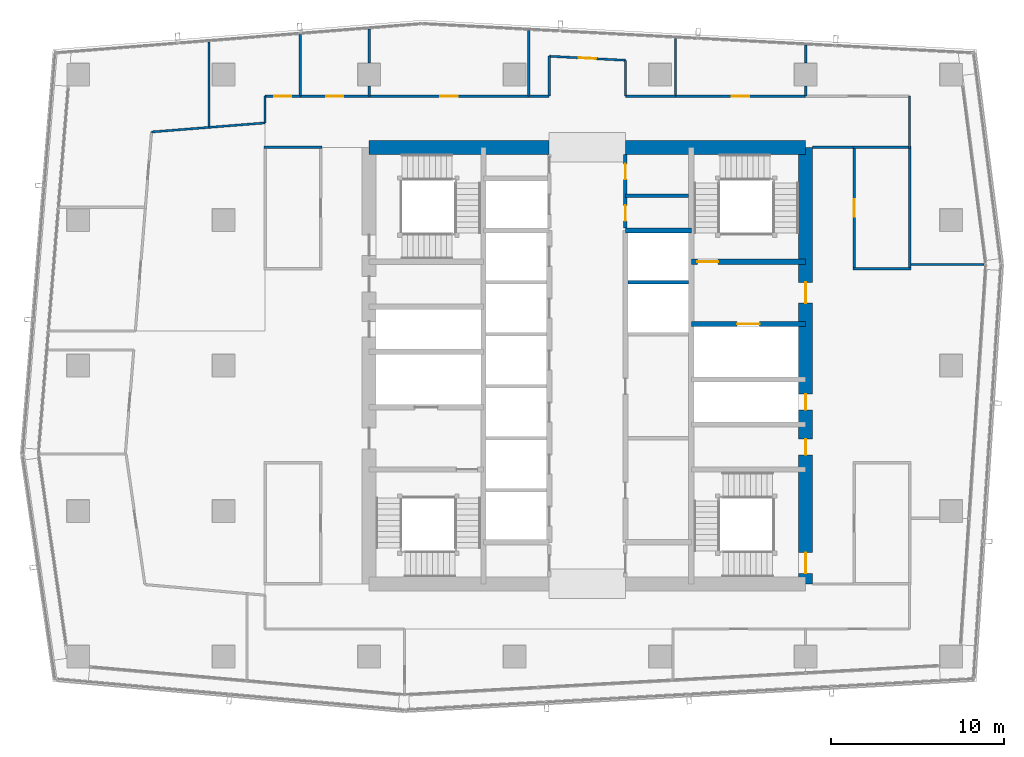
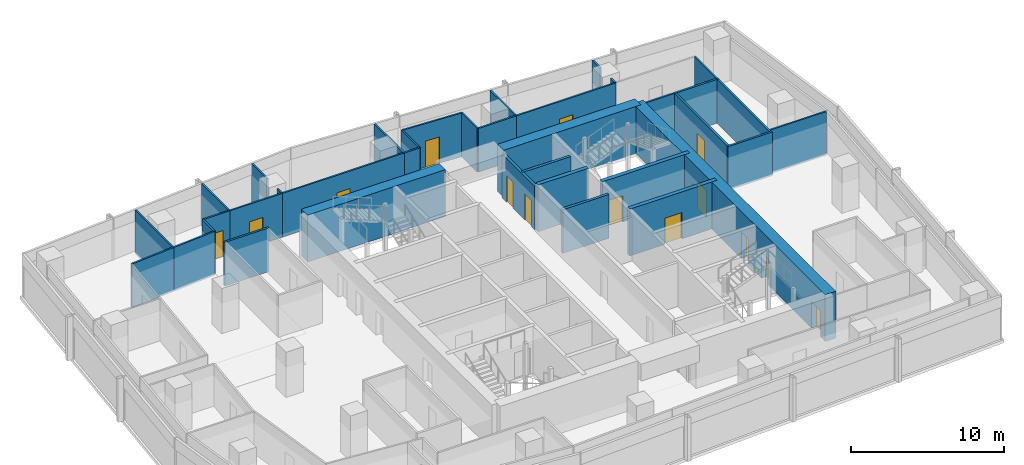
# One storey, part 24 of 29: 37 walls, 14 doors, 14 openings.
"""IFC4 building model written with IfcOpenShell, lengths in metres."""

import ifcopenshell
import ifcopenshell.guid

model = None  # the IFC model being written
_history = None  # IfcOwnerHistory: only IFC2X3 demands one
_inside = {}  # id of a spatial element -> (the spatial element, [elements in it])
_under = {}  # id of a project, library or spatial element -> (it, [spatial elements below it])
_declared = {}  # id of a project -> (the project, [libraries it declares])
_typed = {}  # id of a type object -> (the type object, [elements of that type])
_made_of = {}  # id of a material, layer set ... -> (it, [elements and type objects made of it])


def new_model(schema):
    """Start an empty IFC model of exactly this schema.

    Asked for "IFC4X3", IfcOpenShell would pick the latest addendum, in which some entities
    have other attributes; the version numbers below select the first issue.
    IFC2X3 requires an IfcOwnerHistory on every rooted entity: one is made here for all.
    """
    global model, _history
    if schema == "IFC4X3":
        model = ifcopenshell.file(schema_version=(4, 3, 0, 0))
    else:
        model = ifcopenshell.file(schema=schema)
    _inside.clear()
    _under.clear()
    _declared.clear()
    _typed.clear()
    _made_of.clear()
    _history = None
    if model.schema == "IFC2X3":
        org = make("IfcOrganization", Name="unknown")
        user = make(
            "IfcPersonAndOrganization",
            ThePerson=make("IfcPerson", FamilyName="unknown"),
            TheOrganization=org,
        )
        app = make(
            "IfcApplication",
            ApplicationDeveloper=org,
            Version="unknown",
            ApplicationFullName="unknown",
            ApplicationIdentifier="unknown",
        )
        _history = make(
            "IfcOwnerHistory",
            OwningUser=user,
            OwningApplication=app,
            ChangeAction="ADDED",
            CreationDate=0,
        )
    return model


def make(cls, **values):
    """One entity of the class cls with the attributes given. An attribute that is None is left unset."""
    return model.create_entity(
        cls, **{name: value for name, value in values.items() if value is not None}
    )


def rooted(cls, **values):
    """An entity with a GlobalId (a new one), such as an element, a storey or a relation."""
    return make(cls, GlobalId=ifcopenshell.guid.new(), OwnerHistory=_history, **values)


def si_unit(unit_type, name, prefix=None):
    """IfcSIUnit, for example si_unit("LENGTHUNIT", "METRE", prefix="MILLI")."""
    return make("IfcSIUnit", UnitType=unit_type, Prefix=prefix, Name=name)


def assignment(units):
    """IfcUnitAssignment: the units of a project."""
    return None if units is None else make("IfcUnitAssignment", Units=units)


def point(xyz):
    """IfcCartesianPoint."""
    return None if xyz is None else make("IfcCartesianPoint", Coordinates=xyz)


def direction(xyz):
    """IfcDirection."""
    return None if xyz is None else make("IfcDirection", DirectionRatios=xyz)


def frame(location, z_axis=None, x_axis=None):
    """IfcAxis2Placement3D, a coordinate frame: its origin and axes. An axis left out is left unset."""
    return make(
        "IfcAxis2Placement3D",
        Location=point(location),
        Axis=direction(z_axis),
        RefDirection=direction(x_axis),
    )


def frame_2d(location, x_axis=None):
    """IfcAxis2Placement2D, a coordinate frame in the plane: its origin and x axis."""
    return make(
        "IfcAxis2Placement2D", Location=point(location), RefDirection=direction(x_axis)
    )


def origin():
    """The frame at (0, 0, 0) with its axes left unset."""
    return frame((0.0, 0.0, 0.0))


def place(relative_to, where):
    """IfcLocalPlacement: puts the frame where relative to a parent placement (None: the world)."""
    return make(
        "IfcLocalPlacement", PlacementRelTo=relative_to, RelativePlacement=where
    )


def context(
    kind, dimensions, precision=None, world=None, true_north=None, identifier=None
):
    """IfcGeometricRepresentationContext, for example the 3D "Model" context."""
    return make(
        "IfcGeometricRepresentationContext",
        ContextIdentifier=identifier,
        ContextType=kind,
        CoordinateSpaceDimension=dimensions,
        Precision=precision,
        WorldCoordinateSystem=world,
        TrueNorth=true_north,
    )


def subcontext(parent, identifier, kind, view, scale=None):
    """IfcGeometricRepresentationSubContext, for example "Body" below "Model"."""
    return make(
        "IfcGeometricRepresentationSubContext",
        ContextIdentifier=identifier,
        ContextType=kind,
        ParentContext=parent,
        TargetScale=scale,
        TargetView=view,
    )


def project(units=None, contexts=None):
    """IfcProject with its units and contexts."""
    return rooted(
        "IfcProject",
        Name="project",
        RepresentationContexts=contexts,
        UnitsInContext=assignment(units),
    )


def spatial(cls, under=None, at=None, **own):
    """A site, building, storey or space (cls), placed at a placement, below another one or the project."""
    s = rooted(cls, ObjectPlacement=at, **own)
    if under is not None:
        _under.setdefault(under.id(), (under, []))[1].append(s)
    return s


def profile(cls, at=None, kind="AREA", **sizes):
    """A parametric profile (cls). Its sizes go by their IFC names, for example OverallWidth=200.0."""
    return make(cls, ProfileType=kind, Position=at, **sizes)


def rectangle(**sizes):
    """IfcRectangleProfileDef."""
    return profile("IfcRectangleProfileDef", **sizes)


def extrude(swept, where, along, depth):
    """IfcExtrudedAreaSolid: the profile swept, set in the frame where, extruded along a direction by depth."""
    return make(
        "IfcExtrudedAreaSolid",
        SweptArea=swept,
        Position=where,
        ExtrudedDirection=direction(along),
        Depth=depth,
    )


def shape(context_of_items, identifier, shape_type, items):
    """IfcShapeRepresentation: the items that make up one representation, for example the "Body"."""
    return make(
        "IfcShapeRepresentation",
        ContextOfItems=context_of_items,
        RepresentationIdentifier=identifier,
        RepresentationType=shape_type,
        Items=items,
    )


def material(Name=None, Category=None):
    """IfcMaterial."""
    return make("IfcMaterial", Name=Name, Category=Category)


def layer(
    of_material, thickness, ventilated=None, Name=None, Category=None, Priority=None
):
    """IfcMaterialLayer: one layer of a wall or slab, of a material (None: an air gap)."""
    return make(
        "IfcMaterialLayer",
        Material=of_material,
        LayerThickness=thickness,
        IsVentilated=ventilated,
        Name=Name,
        Category=Category,
        Priority=Priority,
    )


def layer_set(layers, Name=None):
    """IfcMaterialLayerSet."""
    return make("IfcMaterialLayerSet", MaterialLayers=layers, LayerSetName=Name)


def made_of(thing, what):
    """Note that an element or type object is made of a material, layer set ...; save() writes the relation."""
    if what is not None:
        _made_of.setdefault(what.id(), (what, []))[1].append(thing)
    return thing


def type_object(cls, material=None, **own):
    """A type object (cls), such as IfcWallType, which elements share."""
    return made_of(rooted(cls, **own), material)


def element(
    cls,
    number,
    at=None,
    inside=None,
    cuts=None,
    type_object=None,
    material=None,
    context=None,
    identifier="Body",
    shape_type=None,
    held_by="IfcProductDefinitionShape",
    body=None,
    shapes=None,
    **own,
):
    """One element of the class cls, such as IfcWall. Its Tag is "e" and its number.

    at: its placement. inside: the storey or other place that contains it. cuts: it is an
    opening in that element (IfcRelVoidsElement). A single representation is given by context,
    identifier, shape_type and body (its items); several are given by shapes. held_by: the class
    of the entity that holds the representations. save() writes the other relations.
    """
    e = rooted(cls, Tag="e%d" % number, ObjectPlacement=at, **own)
    if body is not None:
        shapes = [shape(context, identifier, shape_type, body)]
    if shapes is not None:
        e.Representation = make(held_by, Representations=shapes)
    if inside is not None:
        _inside.setdefault(inside.id(), (inside, []))[1].append(e)
    if cuts is not None:
        rooted(
            "IfcRelVoidsElement", RelatingBuildingElement=cuts, RelatedOpeningElement=e
        )
    if type_object is not None:
        _typed.setdefault(type_object.id(), (type_object, []))[1].append(e)
    return made_of(e, material)


def fill(opening, filler):
    """IfcRelFillsElement: the door or window that sits in an opening."""
    return rooted(
        "IfcRelFillsElement",
        RelatingOpeningElement=opening,
        RelatedBuildingElement=filler,
    )


def aggregate(whole, parts):
    """IfcRelAggregates: a whole, such as a stair, and the parts it consists of."""
    return rooted("IfcRelAggregates", RelatingObject=whole, RelatedObjects=parts)


def save(model, path):
    """Write the relations noted so far, then the file.

    IfcRelAggregates (storeys below a building ...), IfcRelContainedInSpatialStructure (elements
    in a storey), IfcRelDefinesByType, IfcRelAssociatesMaterial and IfcRelDeclares: one each for
    every whole, place, type object, material and project.
    """
    for whole, parts in _under.values():
        aggregate(whole, parts)
    for where, things in _inside.values():
        rooted(
            "IfcRelContainedInSpatialStructure",
            RelatedElements=things,
            RelatingStructure=where,
        )
    for kind, things in _typed.values():
        rooted("IfcRelDefinesByType", RelatedObjects=things, RelatingType=kind)
    for what, things in _made_of.values():
        rooted("IfcRelAssociatesMaterial", RelatedObjects=things, RelatingMaterial=what)
    for by, libraries in _declared.values():
        rooted("IfcRelDeclares", RelatingContext=by, RelatedDefinitions=libraries)
    model.write(path)


model = new_model("IFC4")

# Units and contexts
model_context = context("Model", 3, precision=1e-05, world=origin(), true_north=direction((0.0, 1.0)))
body_context = subcontext(model_context, "Body", "Model", "MODEL_VIEW")
ifc_project = project(units=[si_unit("LENGTHUNIT", "METRE"), si_unit("AREAUNIT", "SQUARE_METRE"), si_unit("VOLUMEUNIT", "CUBIC_METRE"), si_unit("PLANEANGLEUNIT", "RADIAN"), si_unit("MASSUNIT", "GRAM", prefix="KILO")], contexts=[model_context])

# Site, building, storey
site_placement = place(None, origin())
site = spatial("IfcSite", under=ifc_project, at=site_placement, CompositionType="ELEMENT")
building_placement = place(site_placement, origin())
building = spatial("IfcBuilding", under=site, at=building_placement, Name="Rekha Terrace Tower", CompositionType="ELEMENT")
storey_placement = place(building_placement, frame((0.0, 0.0, 257.60009765625)))
storey = spatial("IfcBuildingStorey", under=building, at=storey_placement, Name="L65", CompositionType="ELEMENT", Elevation=257.60009765625)

# Wall
ifc_material_1 = material(Name="Concrete M60", Category="concrete")
ifc_layer_1 = layer(ifc_material_1, 0.300048828125)
ifc_layer_set_1 = layer_set([ifc_layer_1], Name="Concrete M60")
wall_type_1 = type_object("IfcWallType", Name="CI5 300 core internal shear wall", PredefinedType="SHEAR", material=ifc_layer_set_1)
wall_1_placement = place(storey_placement, frame((40.0, 41.39990234375, 0.0), z_axis=(0.0, 0.0, 1.0), x_axis=(1.0, 0.0, 0.0)))
element("IfcWall", 1, at=wall_1_placement, inside=storey, type_object=wall_type_1, Name="Core wall Y414E L65", PredefinedType="SHEAR", context=body_context, shape_type="SweptSolid", body=[
    extrude(rectangle(XDim=3.800048828125, YDim=0.300048828125, at=frame_2d((1.89990234375, 0.0))), origin(), (0.0, 0.0, 1.0), 3.75),
])

# Wall, opening, door
wall_2_placement = place(storey_placement, frame((43.800048828125, 36.0, 0.0), z_axis=(0.0, 0.0, 1.0), x_axis=(1.0, 0.0, 0.0)))
wall_2 = element("IfcWall", 2, at=wall_2_placement, inside=storey, type_object=wall_type_1, Name="Core wall Y360E L65", PredefinedType="SHEAR", context=body_context, shape_type="SweptSolid", body=[
    extrude(rectangle(XDim=6.599853515625, YDim=0.300048828125, at=frame_2d((3.2998046875, 0.0))), origin(), (0.0, 0.0, 1.0), 3.75),
])
opening_1_placement = place(wall_2_placement, frame((2.64990234375, 0.0, 0.0)))
opening_1 = element("IfcOpeningElement", 3, at=opening_1_placement, cuts=wall_2, Name="Opening LD2", PredefinedType="OPENING", context=body_context, shape_type="SweptSolid", body=[
    extrude(rectangle(XDim=1.300048828125, YDim=2.10009765625, at=frame_2d((0.64990234375, 1.050048828125))), frame((0.0, 0.159912109375, 0.0), z_axis=(0.0, -1.0, 0.0), x_axis=(1.0, 0.0, 0.0)), (0.0, 0.0, 1.0), 0.320068359375),
])
ifc_material_2 = material(Name="Stainless steel sliding landing door", Category="steel")
door_type_1 = type_object("IfcDoorType", Name="LD2 1300x2100 fire lift landing door", OperationType="SLIDING_TO_LEFT", PredefinedType="USERDEFINED", material=ifc_material_2)
door_1_placement = place(opening_1_placement, origin())
door_1 = element("IfcDoor", 4, at=door_1_placement, inside=storey, type_object=door_type_1, Name="Lift FL2 landing door L65", ObjectType="LIFT LANDING DOOR", OperationType="SLIDING_TO_LEFT", OverallHeight=2.10009765625, OverallWidth=1.300048828125, PredefinedType="USERDEFINED", context=body_context, shape_type="SweptSolid", body=[
    extrude(rectangle(XDim=1.300048828125, YDim=2.10009765625, at=frame_2d((0.64990234375, 1.050048828125))), frame((0.0, 0.02490234375, 0.0), z_axis=(0.0, -1.0, 0.0), x_axis=(1.0, 0.0, 0.0)), (0.0, 0.0, 1.0), 0.050048828125),
])
fill(opening_1, door_1)

wall_3_placement = place(storey_placement, frame((43.800048828125, 39.60009765625, 0.0), z_axis=(0.0, 0.0, 1.0), x_axis=(1.0, 0.0, 0.0)))
wall_3 = element("IfcWall", 5, at=wall_3_placement, inside=storey, type_object=wall_type_1, Name="Core wall Y396E L65", PredefinedType="SHEAR", context=body_context, shape_type="SweptSolid", body=[
    extrude(rectangle(XDim=6.599853515625, YDim=0.300048828125, at=frame_2d((3.2998046875, 0.0))), origin(), (0.0, 0.0, 1.0), 3.75),
])
opening_2_placement = place(wall_3_placement, frame((0.35009765625, 0.0, 0.0)))
opening_2 = element("IfcOpeningElement", 6, at=opening_2_placement, cuts=wall_3, Name="Opening D1", PredefinedType="OPENING", context=body_context, shape_type="SweptSolid", body=[
    extrude(rectangle(XDim=1.199951171875, YDim=2.10009765625, at=frame_2d((0.60009765625, 1.050048828125))), frame((0.0, 0.159912109375, 0.0), z_axis=(0.0, -1.0, 0.0), x_axis=(1.0, 0.0, 0.0)), (0.0, 0.0, 1.0), 0.320068359375),
])
ifc_material_3 = material(Name="Steel fire door", Category="steel")
door_type_2 = type_object("IfcDoorType", Name="D1 1200x2100 stair fire door", OperationType="SINGLE_SWING_RIGHT", PredefinedType="DOOR", material=ifc_material_3)
door_2_placement = place(opening_2_placement, origin())
door_2 = element("IfcDoor", 7, at=door_2_placement, inside=storey, type_object=door_type_2, Name="Stair ST2 door L65", OperationType="SINGLE_SWING_RIGHT", OverallHeight=2.10009765625, OverallWidth=1.199951171875, PredefinedType="DOOR", context=body_context, shape_type="SweptSolid", body=[
    extrude(rectangle(XDim=1.199951171875, YDim=2.10009765625, at=frame_2d((0.60009765625, 1.050048828125))), frame((0.0, 0.02490234375, 0.0), z_axis=(0.0, -1.0, 0.0), x_axis=(1.0, 0.0, 0.0)), (0.0, 0.0, 1.0), 0.050048828125),
])
fill(opening_2, door_2)

# Walls
ifc_layer_2 = layer(ifc_material_1, 0.800048828125)
ifc_layer_set_2 = layer_set([ifc_layer_2], Name="Concrete M60")
wall_type_2 = type_object("IfcWallType", Name="SW5 800 core outer shear wall", PredefinedType="SHEAR", material=ifc_layer_set_2)
wall_4_placement = place(storey_placement, frame((25.199951171875, 46.199951171875, 0.0), z_axis=(0.0, 0.0, 1.0), x_axis=(1.0, 0.0, 0.0)))
element("IfcWall", 8, at=wall_4_placement, inside=storey, type_object=wall_type_2, Name="Core wall N1 L65", PredefinedType="SHEAR", context=body_context, shape_type="SweptSolid", body=[
    extrude(rectangle(XDim=10.400146484375, YDim=0.800048828125, at=frame_2d((5.2001953125, 0.0))), origin(), (0.0, 0.0, 1.0), 3.75),
])
wall_5_placement = place(storey_placement, frame((40.0, 46.199951171875, 0.0), z_axis=(0.0, 0.0, 1.0), x_axis=(1.0, 0.0, 0.0)))
element("IfcWall", 9, at=wall_5_placement, inside=storey, type_object=wall_type_2, Name="Core wall N2 L65", PredefinedType="SHEAR", context=body_context, shape_type="SweptSolid", body=[
    extrude(rectangle(XDim=10.39990234375, YDim=0.800048828125, at=frame_2d((5.199951171875, 0.0))), origin(), (0.0, 0.0, 1.0), 3.75),
])

# Wall, openings, doors
wall_6_placement = place(storey_placement, frame((50.39990234375, 21.0, 0.0), z_axis=(0.0, 0.0, 1.0), x_axis=(0.0, 1.0, 0.0)))
wall_6 = element("IfcWall", 10, at=wall_6_placement, inside=storey, type_object=wall_type_2, Name="Core wall E L65", PredefinedType="SHEAR", context=body_context, shape_type="SweptSolid", body=[
    extrude(rectangle(XDim=25.199951171875, YDim=0.800048828125, at=frame_2d((12.60009765625, 0.0))), origin(), (0.0, 0.0, 1.0), 3.75),
])
opening_3_placement = place(wall_6_placement, frame((16.199951171875, 0.0, 0.0)))
opening_3 = element("IfcOpeningElement", 11, at=opening_3_placement, cuts=wall_6, Name="Opening D2", PredefinedType="OPENING", context=body_context, shape_type="SweptSolid", body=[
    extrude(rectangle(XDim=1.199951171875, YDim=2.10009765625, at=frame_2d((0.60009765625, 1.050048828125))), frame((0.0, 0.409912109375, 0.0), z_axis=(0.0, -1.0, 0.0), x_axis=(1.0, 0.0, 0.0)), (0.0, 0.0, 1.0), 0.820068359375),
])
opening_4_placement = place(wall_6_placement, frame((10.050048828125, 0.0, 0.0)))
opening_4 = element("IfcOpeningElement", 12, at=opening_4_placement, cuts=wall_6, Name="Opening D5", PredefinedType="OPENING", context=body_context, shape_type="SweptSolid", body=[
    extrude(rectangle(XDim=0.89990234375, YDim=2.10009765625, at=frame_2d((0.449951171875, 1.050048828125))), frame((0.0, 0.409912109375, 0.0), z_axis=(0.0, -1.0, 0.0), x_axis=(1.0, 0.0, 0.0)), (0.0, 0.0, 1.0), 0.820068359375),
])
opening_5_placement = place(wall_6_placement, frame((7.449951171875, 0.0, 0.0)))
opening_5 = element("IfcOpeningElement", 13, at=opening_5_placement, cuts=wall_6, Name="Opening D5", PredefinedType="OPENING", context=body_context, shape_type="SweptSolid", body=[
    extrude(rectangle(XDim=0.89990234375, YDim=2.10009765625, at=frame_2d((0.449951171875, 1.050048828125))), frame((0.0, 0.409912109375, 0.0), z_axis=(0.0, -1.0, 0.0), x_axis=(1.0, 0.0, 0.0)), (0.0, 0.0, 1.0), 0.820068359375),
])
opening_6_placement = place(wall_6_placement, frame((0.60009765625, 0.0, 0.0)))
opening_6 = element("IfcOpeningElement", 14, at=opening_6_placement, cuts=wall_6, Name="Opening D1", PredefinedType="OPENING", context=body_context, shape_type="SweptSolid", body=[
    extrude(rectangle(XDim=1.199951171875, YDim=2.10009765625, at=frame_2d((0.60009765625, 1.050048828125))), frame((0.0, 0.409912109375, 0.0), z_axis=(0.0, -1.0, 0.0), x_axis=(1.0, 0.0, 0.0)), (0.0, 0.0, 1.0), 0.820068359375),
])
door_3_placement = place(opening_6_placement, origin())
door_3 = element("IfcDoor", 15, at=door_3_placement, inside=storey, type_object=door_type_2, Name="Stair ST3 door L65", OperationType="SINGLE_SWING_RIGHT", OverallHeight=2.10009765625, OverallWidth=1.199951171875, PredefinedType="DOOR", context=body_context, shape_type="SweptSolid", body=[
    extrude(rectangle(XDim=1.199951171875, YDim=2.10009765625, at=frame_2d((0.60009765625, 1.050048828125))), frame((0.0, 0.02490234375, 0.0), z_axis=(0.0, -1.0, 0.0), x_axis=(1.0, 0.0, 0.0)), (0.0, 0.0, 1.0), 0.050048828125),
])
fill(opening_6, door_3)
door_type_3 = type_object("IfcDoorType", Name="D2 1200x2100 firefighting lobby door", OperationType="SINGLE_SWING_LEFT", PredefinedType="DOOR", material=ifc_material_3)
door_4_placement = place(opening_3_placement, origin())
door_4 = element("IfcDoor", 16, at=door_4_placement, inside=storey, type_object=door_type_3, Name="Door flb2 L65", OperationType="SINGLE_SWING_LEFT", OverallHeight=2.10009765625, OverallWidth=1.199951171875, PredefinedType="DOOR", context=body_context, shape_type="SweptSolid", body=[
    extrude(rectangle(XDim=1.199951171875, YDim=2.10009765625, at=frame_2d((0.60009765625, 1.050048828125))), frame((0.0, 0.02490234375, 0.0), z_axis=(0.0, -1.0, 0.0), x_axis=(1.0, 0.0, 0.0)), (0.0, 0.0, 1.0), 0.050048828125),
])
fill(opening_3, door_4)
door_type_4 = type_object("IfcDoorType", Name="D5 900x2100 riser access door", OperationType="SINGLE_SWING_LEFT", PredefinedType="DOOR", material=ifc_material_3)
door_5_placement = place(opening_4_placement, origin())
door_5 = element("IfcDoor", 17, at=door_5_placement, inside=storey, type_object=door_type_4, Name="Door rs2 L65", OperationType="SINGLE_SWING_LEFT", OverallHeight=2.10009765625, OverallWidth=0.89990234375, PredefinedType="DOOR", context=body_context, shape_type="SweptSolid", body=[
    extrude(rectangle(XDim=0.89990234375, YDim=2.10009765625, at=frame_2d((0.449951171875, 1.050048828125))), frame((0.0, 0.02490234375, 0.0), z_axis=(0.0, -1.0, 0.0), x_axis=(1.0, 0.0, 0.0)), (0.0, 0.0, 1.0), 0.050048828125),
])
fill(opening_4, door_5)
door_6_placement = place(opening_5_placement, origin())
door_6 = element("IfcDoor", 18, at=door_6_placement, inside=storey, type_object=door_type_4, Name="Door ele L65", OperationType="SINGLE_SWING_LEFT", OverallHeight=2.10009765625, OverallWidth=0.89990234375, PredefinedType="DOOR", context=body_context, shape_type="SweptSolid", body=[
    extrude(rectangle(XDim=0.89990234375, YDim=2.10009765625, at=frame_2d((0.449951171875, 1.050048828125))), frame((0.0, 0.02490234375, 0.0), z_axis=(0.0, -1.0, 0.0), x_axis=(1.0, 0.0, 0.0)), (0.0, 0.0, 1.0), 0.050048828125),
])
fill(opening_5, door_6)

# Walls
ifc_material_4 = material(Name="Concrete block masonry, 1 hour", Category="masonry")
ifc_layer_3 = layer(ifc_material_4, 0.14990234375)
ifc_layer_set_3 = layer_set([ifc_layer_3], Name="Concrete block masonry, 1 hour")
wall_type_3 = type_object("IfcWallType", Name="WP2 150 tenancy partition", PredefinedType="PARTITIONING", material=ifc_layer_set_3)
for number, where, z_axis, x_axis, name in (
    (19, (53.125, 39.199951171875, 0.0), (0.0, 0.0, 1.0), (1.0, 0.0, 0.0), "Women's WC wall L65"),
    (20, (53.125, 46.199951171875, 0.0), (0.0, 0.0, 1.0), (1.0, 0.0, 0.0), "Women's WC wall L65"),
):
    element("IfcWall", number, at=place(storey_placement, frame(where, z_axis=z_axis, x_axis=x_axis)), inside=storey, type_object=wall_type_3, Name=name, PredefinedType="PARTITIONING", context=body_context, shape_type="SweptSolid", body=[
        extrude(rectangle(XDim=3.35009765625, YDim=0.14990234375, at=frame_2d((1.675048828125, 0.0))), origin(), (0.0, 0.0, 1.0), 3.5),
    ])

# Wall, opening, door
wall_7_placement = place(storey_placement, frame((53.199951171875, 39.27490234375, 0.0), z_axis=(0.0, 0.0, 1.0), x_axis=(0.0, 1.0, 0.0)))
wall_7 = element("IfcWall", 21, at=wall_7_placement, inside=storey, type_object=wall_type_3, Name="Women's WC wall L65", PredefinedType="PARTITIONING", context=body_context, shape_type="SweptSolid", body=[
    extrude(rectangle(XDim=6.85009765625, YDim=0.14990234375, at=frame_2d((3.425048828125, 0.0))), origin(), (0.0, 0.0, 1.0), 3.5),
])
opening_7_placement = place(wall_7_placement, frame((2.925048828125, 0.0, 0.0)))
opening_7 = element("IfcOpeningElement", 22, at=opening_7_placement, cuts=wall_7, Name="Opening D3", PredefinedType="OPENING", context=body_context, shape_type="SweptSolid", body=[
    extrude(rectangle(XDim=1.0, YDim=2.10009765625, at=frame_2d((0.5, 1.050048828125))), frame((0.0, 0.0849609375, 0.0), z_axis=(0.0, -1.0, 0.0), x_axis=(1.0, 0.0, 0.0)), (0.0, 0.0, 1.0), 0.169921875),
])
ifc_material_5 = material(Name="Laminated timber fire door", Category="wood")
door_type_5 = type_object("IfcDoorType", Name="D3 1000x2100 WC door", OperationType="SINGLE_SWING_LEFT", PredefinedType="DOOR", material=ifc_material_5)
door_7_placement = place(opening_7_placement, origin())
door_7 = element("IfcDoor", 23, at=door_7_placement, inside=storey, type_object=door_type_5, Name="Door women's wc L65", OperationType="SINGLE_SWING_LEFT", OverallHeight=2.10009765625, OverallWidth=1.0, PredefinedType="DOOR", context=body_context, shape_type="SweptSolid", body=[
    extrude(rectangle(XDim=1.0, YDim=2.10009765625, at=frame_2d((0.5, 1.050048828125))), frame((0.0, 0.02490234375, 0.0), z_axis=(0.0, -1.0, 0.0), x_axis=(1.0, 0.0, 0.0)), (0.0, 0.0, 1.0), 0.050048828125),
])
fill(opening_7, door_7)

# Walls
wall_8_placement = place(storey_placement, frame((56.39990234375, 39.27490234375, 0.0), z_axis=(0.0, 0.0, 1.0), x_axis=(0.0, 1.0, 0.0)))
element("IfcWall", 24, at=wall_8_placement, inside=storey, type_object=wall_type_3, Name="Women's WC wall L65", PredefinedType="PARTITIONING", context=body_context, shape_type="SweptSolid", body=[
    extrude(rectangle(XDim=6.85009765625, YDim=0.14990234375, at=frame_2d((3.425048828125, 0.0))), origin(), (0.0, 0.0, 1.0), 3.5),
])
wall_9_placement = place(storey_placement, frame((19.125, 46.199951171875, 0.0), z_axis=(0.0, 0.0, 1.0), x_axis=(1.0, 0.0, 0.0)))
element("IfcWall", 25, at=wall_9_placement, inside=storey, type_object=wall_type_3, Name="Women's WC wall L65", PredefinedType="PARTITIONING", context=body_context, shape_type="SweptSolid", body=[
    extrude(rectangle(XDim=3.35009765625, YDim=0.14990234375, at=frame_2d((1.675048828125, 0.0))), origin(), (0.0, 0.0, 1.0), 3.5),
])
ifc_material_6 = material(Name="Two layers of fire-rated gypsum board each side on steel studs, acoustic quilt, 1 hour", Category="steel")
ifc_layer_4 = layer(ifc_material_6, 0.125)
ifc_layer_set_4 = layer_set([ifc_layer_4], Name="Two layers of fire-rated gypsum board each side on steel studs, acoustic quilt, 1 hour")
wall_type_4 = type_object("IfcWallType", Name="WP3 125 office partition", PredefinedType="PARTITIONING", material=ifc_layer_set_4)
wall_10_placement = place(storey_placement, frame((50.800048828125, 46.199951171875, 0.0), z_axis=(0.0, 0.0, 1.0), x_axis=(1.0, 0.0, 0.0)))
element("IfcWall", 26, at=wall_10_placement, inside=storey, type_object=wall_type_4, Name="Partition L65-05", PredefinedType="PARTITIONING", context=body_context, shape_type="SweptSolid", body=[
    extrude(rectangle(XDim=2.323974609375, YDim=0.125, at=frame_2d((1.162109375, 0.0))), origin(), (0.0, 0.0, 1.0), 3.5),
])
wall_11_placement = place(storey_placement, frame((56.47509765625, 39.43896484375, 0.0), z_axis=(0.0, 0.0, 1.0), x_axis=(1.0, 0.0, 0.0)))
element("IfcWall", 27, at=wall_11_placement, inside=storey, type_object=wall_type_4, Name="Partition L65-05", PredefinedType="PARTITIONING", context=body_context, shape_type="SweptSolid", body=[
    extrude(rectangle(XDim=4.224853515625, YDim=0.125, at=frame_2d((2.1123046875, 0.0))), origin(), (0.0, 0.0, 1.0), 3.5),
])
wall_12_placement = place(storey_placement, frame((50.403076171875, 49.14990234375, 0.0), z_axis=(0.0, 0.0, 1.0), x_axis=(0.0, 1.0, 0.0)))
element("IfcWall", 28, at=wall_12_placement, inside=storey, type_object=wall_type_4, Name="Partition L65-06", PredefinedType="PARTITIONING", context=body_context, shape_type="SweptSolid", body=[
    extrude(rectangle(XDim=0.580078125, YDim=0.125, at=frame_2d((0.2900390625, 0.0))), origin(), (0.0, 0.0, 1.0), 3.5),
])
wall_13_placement = place(storey_placement, frame((50.403076171875, 51.070068359375, 0.0), z_axis=(0.0, 0.0, 1.0), x_axis=(0.0, 1.0, 0.0)))
element("IfcWall", 29, at=wall_13_placement, inside=storey, type_object=wall_type_4, Name="Partition L65-06", PredefinedType="PARTITIONING", context=body_context, shape_type="SweptSolid", body=[
    extrude(rectangle(XDim=1.02392578125, YDim=0.125, at=frame_2d((0.511962890625, 0.0))), origin(), (0.0, 0.0, 1.0), 3.5),
])
wall_14_placement = place(storey_placement, frame((56.39990234375, 46.125, 0.0), z_axis=(0.0, 0.0, 1.0), x_axis=(0.0, 1.0, 0.0)))
element("IfcWall", 30, at=wall_14_placement, inside=storey, type_object=wall_type_4, Name="Partition L65-06", PredefinedType="PARTITIONING", context=body_context, shape_type="SweptSolid", body=[
    extrude(rectangle(XDim=3.02490234375, YDim=0.125, at=frame_2d((1.512451171875, 0.0))), origin(), (0.0, 0.0, 1.0), 3.5),
])

# Wall, opening, door
wall_15_placement = place(storey_placement, frame((50.402099609375, 49.14990234375, 0.0), z_axis=(0.0, 0.0, 1.0), x_axis=(-1.0, 0.0, 0.0)))
wall_15 = element("IfcWall", 31, at=wall_15_placement, inside=storey, type_object=wall_type_4, Name="Partition L65-07", PredefinedType="PARTITIONING", context=body_context, shape_type="SweptSolid", body=[
    extrude(rectangle(XDim=7.51220703125, YDim=0.125, at=frame_2d((3.756103515625, 0.0))), origin(), (0.0, 0.0, 1.0), 3.5),
])
opening_8_placement = place(wall_15_placement, frame((3.256103515625, 0.0, 0.0)))
opening_8 = element("IfcOpeningElement", 32, at=opening_8_placement, cuts=wall_15, Name="Opening D9", PredefinedType="OPENING", context=body_context, shape_type="SweptSolid", body=[
    extrude(rectangle(XDim=1.0, YDim=2.10009765625, at=frame_2d((0.5, 1.050048828125))), frame((0.0, 0.072509765625, 0.0), z_axis=(0.0, -1.0, 0.0), x_axis=(1.0, 0.0, 0.0)), (0.0, 0.0, 1.0), 0.14501953125),
])
ifc_material_7 = material(Name="Timber fire door", Category="wood")
door_type_6 = type_object("IfcDoorType", Name="D9 1000x2100 office door", OperationType="SINGLE_SWING_LEFT", PredefinedType="DOOR", material=ifc_material_7)
door_8_placement = place(opening_8_placement, origin())
door_8 = element("IfcDoor", 33, at=door_8_placement, inside=storey, type_object=door_type_6, Name="Door office L65", OperationType="SINGLE_SWING_LEFT", OverallHeight=2.10009765625, OverallWidth=1.0, PredefinedType="DOOR", context=body_context, shape_type="SweptSolid", body=[
    extrude(rectangle(XDim=1.0, YDim=2.10009765625, at=frame_2d((0.5, 1.050048828125))), frame((0.0, 0.02490234375, 0.0), z_axis=(0.0, -1.0, 0.0), x_axis=(1.0, 0.0, 0.0)), (0.0, 0.0, 1.0), 0.050048828125),
])
fill(opening_8, door_8)

# Wall
wall_16_placement = place(storey_placement, frame((42.889892578125, 49.14990234375, 0.0), z_axis=(0.0, 0.0, 1.0), x_axis=(0.0, 1.0, 0.0)))
element("IfcWall", 34, at=wall_16_placement, inside=storey, type_object=wall_type_4, Name="Partition L65-07", PredefinedType="PARTITIONING", context=body_context, shape_type="SweptSolid", body=[
    extrude(rectangle(XDim=3.343017578125, YDim=0.125, at=frame_2d((1.67138671875, 0.0))), origin(), (0.0, 0.0, 1.0), 3.5),
])

# Wall, opening, door
wall_17_placement = place(storey_placement, frame((40.0, 51.22509765625, 0.0), z_axis=(0.0, 0.0, 1.0), x_axis=(-0.998601864588, 0.052861290579, 0.0)))
wall_17 = element("IfcWall", 35, at=wall_17_placement, inside=storey, type_object=wall_type_4, Name="Partition L65-08", PredefinedType="PARTITIONING", context=body_context, shape_type="SweptSolid", body=[
    extrude(rectangle(XDim=4.406005859375, YDim=0.125, at=frame_2d((2.203125, 0.0))), origin(), (0.0, 0.0, 1.0), 3.5),
])
opening_9_placement = place(wall_17_placement, frame((1.702880859375, 0.0, 0.0)))
opening_9 = element("IfcOpeningElement", 36, at=opening_9_placement, cuts=wall_17, Name="Opening D9", PredefinedType="OPENING", context=body_context, shape_type="SweptSolid", body=[
    extrude(rectangle(XDim=1.0, YDim=2.10009765625, at=frame_2d((0.5, 1.050048828125))), frame((0.0, 0.072509765625, 0.0), z_axis=(0.0, -1.0, 0.0), x_axis=(1.0, 0.0, 0.0)), (0.0, 0.0, 1.0), 0.14501953125),
])
door_9_placement = place(opening_9_placement, origin())
door_9 = element("IfcDoor", 37, at=door_9_placement, inside=storey, type_object=door_type_6, Name="Door office L65", OperationType="SINGLE_SWING_LEFT", OverallHeight=2.10009765625, OverallWidth=1.0, PredefinedType="DOOR", context=body_context, shape_type="SweptSolid", body=[
    extrude(rectangle(XDim=1.0, YDim=2.10009765625, at=frame_2d((0.5, 1.050048828125))), frame((0.0, 0.02490234375, 0.0), z_axis=(0.0, -1.0, 0.0), x_axis=(1.0, 0.0, 0.0)), (0.0, 0.0, 1.0), 0.050048828125),
])
fill(opening_9, door_9)

# Walls
wall_18_placement = place(storey_placement, frame((35.60009765625, 51.4580078125, 0.0), z_axis=(0.0, 0.0, 1.0), x_axis=(0.0, -1.0, 0.0)))
element("IfcWall", 38, at=wall_18_placement, inside=storey, type_object=wall_type_4, Name="Partition L65-08", PredefinedType="PARTITIONING", context=body_context, shape_type="SweptSolid", body=[
    extrude(rectangle(XDim=2.30810546875, YDim=0.125, at=frame_2d((1.154052734375, 0.0))), origin(), (0.0, 0.0, 1.0), 3.5),
])
wall_19_placement = place(storey_placement, frame((35.60009765625, 49.14990234375, 0.0), z_axis=(0.0, 0.0, 1.0), x_axis=(-1.0, 0.0, 0.0)))
element("IfcWall", 39, at=wall_19_placement, inside=storey, type_object=wall_type_4, Name="Partition L65-08", PredefinedType="PARTITIONING", context=body_context, shape_type="SweptSolid", body=[
    extrude(rectangle(XDim=1.18212890625, YDim=0.125, at=frame_2d((0.591064453125, 0.0))), origin(), (0.0, 0.0, 1.0), 3.5),
])
wall_20_placement = place(storey_placement, frame((34.41796875, 49.14990234375, 0.0), z_axis=(0.0, 0.0, 1.0), x_axis=(0.0, 1.0, 0.0)))
element("IfcWall", 40, at=wall_20_placement, inside=storey, type_object=wall_type_4, Name="Partition L65-08", PredefinedType="PARTITIONING", context=body_context, shape_type="SweptSolid", body=[
    extrude(rectangle(XDim=3.793212890625, YDim=0.125, at=frame_2d((1.896484375, 0.0))), origin(), (0.0, 0.0, 1.0), 3.5),
])
wall_21_placement = place(storey_placement, frame((42.888916015625, 49.14990234375, 0.0), z_axis=(0.0, 0.0, 1.0), x_axis=(-1.0, 0.0, 0.0)))
element("IfcWall", 41, at=wall_21_placement, inside=storey, type_object=wall_type_4, Name="Partition L65-08", PredefinedType="PARTITIONING", context=body_context, shape_type="SweptSolid", body=[
    extrude(rectangle(XDim=2.888916015625, YDim=0.125, at=frame_2d((1.4443359375, 0.0))), origin(), (0.0, 0.0, 1.0), 3.5),
])
wall_22_placement = place(storey_placement, frame((40.0, 49.14990234375, 0.0), z_axis=(0.0, 0.0, 1.0), x_axis=(0.0, 1.0, 0.0)))
element("IfcWall", 42, at=wall_22_placement, inside=storey, type_object=wall_type_4, Name="Partition L65-08", PredefinedType="PARTITIONING", context=body_context, shape_type="SweptSolid", body=[
    extrude(rectangle(XDim=2.0751953125, YDim=0.125, at=frame_2d((1.03759765625, 0.0))), origin(), (0.0, 0.0, 1.0), 3.5),
])

# Wall, opening, door
wall_23_placement = place(storey_placement, frame((34.4169921875, 49.14990234375, 0.0), z_axis=(0.0, 0.0, 1.0), x_axis=(-1.0, 0.0, 0.0)))
wall_23 = element("IfcWall", 43, at=wall_23_placement, inside=storey, type_object=wall_type_4, Name="Partition L65-09", PredefinedType="PARTITIONING", context=body_context, shape_type="SweptSolid", body=[
    extrude(rectangle(XDim=9.2109375, YDim=0.125, at=frame_2d((4.60546875, 0.0))), origin(), (0.0, 0.0, 1.0), 3.5),
])
opening_10_placement = place(wall_23_placement, frame((4.10498046875, 0.0, 0.0)))
opening_10 = element("IfcOpeningElement", 44, at=opening_10_placement, cuts=wall_23, Name="Opening D9", PredefinedType="OPENING", context=body_context, shape_type="SweptSolid", body=[
    extrude(rectangle(XDim=1.0, YDim=2.10009765625, at=frame_2d((0.5, 1.050048828125))), frame((0.0, 0.072509765625, 0.0), z_axis=(0.0, -1.0, 0.0), x_axis=(1.0, 0.0, 0.0)), (0.0, 0.0, 1.0), 0.14501953125),
])
door_10_placement = place(opening_10_placement, origin())
door_10 = element("IfcDoor", 45, at=door_10_placement, inside=storey, type_object=door_type_6, Name="Door office L65", OperationType="SINGLE_SWING_LEFT", OverallHeight=2.10009765625, OverallWidth=1.0, PredefinedType="DOOR", context=body_context, shape_type="SweptSolid", body=[
    extrude(rectangle(XDim=1.0, YDim=2.10009765625, at=frame_2d((0.5, 1.050048828125))), frame((0.0, 0.02490234375, 0.0), z_axis=(0.0, -1.0, 0.0), x_axis=(1.0, 0.0, 0.0)), (0.0, 0.0, 1.0), 0.050048828125),
])
fill(opening_10, door_10)

# Walls
wall_24_placement = place(storey_placement, frame((25.2060546875, 49.14990234375, 0.0), z_axis=(0.0, 0.0, 1.0), x_axis=(0.0, 1.0, 0.0)))
element("IfcWall", 46, at=wall_24_placement, inside=storey, type_object=wall_type_4, Name="Partition L65-09", PredefinedType="PARTITIONING", context=body_context, shape_type="SweptSolid", body=[
    extrude(rectangle(XDim=0.580078125, YDim=0.125, at=frame_2d((0.2900390625, 0.0))), origin(), (0.0, 0.0, 1.0), 3.5),
])
wall_25_placement = place(storey_placement, frame((25.2060546875, 51.070068359375, 0.0), z_axis=(0.0, 0.0, 1.0), x_axis=(0.0, 1.0, 0.0)))
element("IfcWall", 47, at=wall_25_placement, inside=storey, type_object=wall_type_4, Name="Partition L65-09", PredefinedType="PARTITIONING", context=body_context, shape_type="SweptSolid", body=[
    extrude(rectangle(XDim=1.954833984375, YDim=0.125, at=frame_2d((0.9775390625, 0.0))), origin(), (0.0, 0.0, 1.0), 3.5),
])

# Wall, opening, door
wall_26_placement = place(storey_placement, frame((25.205078125, 49.14990234375, 0.0), z_axis=(0.0, 0.0, 1.0), x_axis=(-1.0, 0.0, 0.0)))
wall_26 = element("IfcWall", 48, at=wall_26_placement, inside=storey, type_object=wall_type_4, Name="Partition L65-10", PredefinedType="PARTITIONING", context=body_context, shape_type="SweptSolid", body=[
    extrude(rectangle(XDim=3.97802734375, YDim=0.125, at=frame_2d((1.989013671875, 0.0))), origin(), (0.0, 0.0, 1.0), 3.5),
])
opening_11_placement = place(wall_26_placement, frame((1.489013671875, 0.0, 0.0)))
opening_11 = element("IfcOpeningElement", 49, at=opening_11_placement, cuts=wall_26, Name="Opening D9", PredefinedType="OPENING", context=body_context, shape_type="SweptSolid", body=[
    extrude(rectangle(XDim=1.0, YDim=2.10009765625, at=frame_2d((0.5, 1.050048828125))), frame((0.0, 0.072509765625, 0.0), z_axis=(0.0, -1.0, 0.0), x_axis=(1.0, 0.0, 0.0)), (0.0, 0.0, 1.0), 0.14501953125),
])
door_11_placement = place(opening_11_placement, origin())
door_11 = element("IfcDoor", 50, at=door_11_placement, inside=storey, type_object=door_type_6, Name="Door office L65", OperationType="SINGLE_SWING_LEFT", OverallHeight=2.10009765625, OverallWidth=1.0, PredefinedType="DOOR", context=body_context, shape_type="SweptSolid", body=[
    extrude(rectangle(XDim=1.0, YDim=2.10009765625, at=frame_2d((0.5, 1.050048828125))), frame((0.0, 0.02490234375, 0.0), z_axis=(0.0, -1.0, 0.0), x_axis=(1.0, 0.0, 0.0)), (0.0, 0.0, 1.0), 0.050048828125),
])
fill(opening_11, door_11)

# Walls
wall_27_placement = place(storey_placement, frame((21.22705078125, 49.14990234375, 0.0), z_axis=(0.0, 0.0, 1.0), x_axis=(0.0, 1.0, 0.0)))
element("IfcWall", 51, at=wall_27_placement, inside=storey, type_object=wall_type_4, Name="Partition L65-10", PredefinedType="PARTITIONING", context=body_context, shape_type="SweptSolid", body=[
    extrude(rectangle(XDim=3.55810546875, YDim=0.125, at=frame_2d((1.779052734375, 0.0))), origin(), (0.0, 0.0, 1.0), 3.5),
])
wall_28_placement = place(storey_placement, frame((19.199951171875, 47.610107421875, 0.0), z_axis=(0.0, 0.0, 1.0), x_axis=(-0.99683691537, -0.079474298708, 0.0)))
element("IfcWall", 52, at=wall_28_placement, inside=storey, type_object=wall_type_4, Name="Partition L65-11", PredefinedType="PARTITIONING", context=body_context, shape_type="SweptSolid", body=[
    extrude(rectangle(XDim=3.25927734375, YDim=0.125, at=frame_2d((1.629638671875, 0.0))), origin(), (0.0, 0.0, 1.0), 3.5),
])
wall_29_placement = place(storey_placement, frame((15.950927734375, 47.35107421875, 0.0), z_axis=(0.0, 0.0, 1.0), x_axis=(0.0, 1.0, 0.0)))
element("IfcWall", 53, at=wall_29_placement, inside=storey, type_object=wall_type_4, Name="Partition L65-11", PredefinedType="PARTITIONING", context=body_context, shape_type="SweptSolid", body=[
    extrude(rectangle(XDim=4.93603515625, YDim=0.125, at=frame_2d((2.468017578125, 0.0))), origin(), (0.0, 0.0, 1.0), 3.5),
])

# Wall, opening, door
wall_30_placement = place(storey_placement, frame((21.22607421875, 49.14990234375, 0.0), z_axis=(0.0, 0.0, 1.0), x_axis=(-1.0, 0.0, 0.0)))
wall_30 = element("IfcWall", 54, at=wall_30_placement, inside=storey, type_object=wall_type_4, Name="Partition L65-11", PredefinedType="PARTITIONING", context=body_context, shape_type="SweptSolid", body=[
    extrude(rectangle(XDim=2.026123046875, YDim=0.125, at=frame_2d((1.01318359375, 0.0))), origin(), (0.0, 0.0, 1.0), 3.5),
])
opening_12_placement = place(wall_30_placement, frame((0.512939453125, 0.0, 0.0)))
opening_12 = element("IfcOpeningElement", 55, at=opening_12_placement, cuts=wall_30, Name="Opening D9", PredefinedType="OPENING", context=body_context, shape_type="SweptSolid", body=[
    extrude(rectangle(XDim=1.0, YDim=2.10009765625, at=frame_2d((0.5, 1.050048828125))), frame((0.0, 0.072509765625, 0.0), z_axis=(0.0, -1.0, 0.0), x_axis=(1.0, 0.0, 0.0)), (0.0, 0.0, 1.0), 0.14501953125),
])
door_12_placement = place(opening_12_placement, origin())
door_12 = element("IfcDoor", 56, at=door_12_placement, inside=storey, type_object=door_type_6, Name="Door office L65", OperationType="SINGLE_SWING_LEFT", OverallHeight=2.10009765625, OverallWidth=1.0, PredefinedType="DOOR", context=body_context, shape_type="SweptSolid", body=[
    extrude(rectangle(XDim=1.0, YDim=2.10009765625, at=frame_2d((0.5, 1.050048828125))), frame((0.0, 0.02490234375, 0.0), z_axis=(0.0, -1.0, 0.0), x_axis=(1.0, 0.0, 0.0)), (0.0, 0.0, 1.0), 0.050048828125),
])
fill(opening_12, door_12)

# Walls
wall_31_placement = place(storey_placement, frame((19.199951171875, 49.14990234375, 0.0), z_axis=(0.0, 0.0, 1.0), x_axis=(0.0, -1.0, 0.0)))
element("IfcWall", 57, at=wall_31_placement, inside=storey, type_object=wall_type_4, Name="Partition L65-11", PredefinedType="PARTITIONING", context=body_context, shape_type="SweptSolid", body=[
    extrude(rectangle(XDim=1.539794921875, YDim=0.125, at=frame_2d((0.77001953125, 0.0))), origin(), (0.0, 0.0, 1.0), 3.5),
])
wall_32_placement = place(storey_placement, frame((15.949951171875, 47.35107421875, 0.0), z_axis=(0.0, 0.0, 1.0), x_axis=(-0.99682463174, -0.07962822086, 0.0)))
element("IfcWall", 58, at=wall_32_placement, inside=storey, type_object=wall_type_4, Name="Partition L65-12", PredefinedType="PARTITIONING", context=body_context, shape_type="SweptSolid", body=[
    extrude(rectangle(XDim=3.3173828125, YDim=0.125, at=frame_2d((1.65869140625, 0.0))), origin(), (0.0, 0.0, 1.0), 3.5),
])
ifc_material_8 = material(Name="Solid concrete block masonry, 2 hour", Category="masonry")
ifc_layer_5 = layer(ifc_material_8, 0.199951171875)
ifc_layer_set_5 = layer_set([ifc_layer_5], Name="Solid concrete block masonry, 2 hour")
wall_type_5 = type_object("IfcWallType", Name="WS1 200 stair and shaft enclosure", PredefinedType="PARTITIONING", material=ifc_layer_set_5)
wall_33_placement = place(storey_placement, frame((40.14990234375, 38.39990234375, 0.0), z_axis=(0.0, 0.0, 1.0), x_axis=(1.0, 0.0, 0.0)))
element("IfcWall", 59, at=wall_33_placement, inside=storey, type_object=wall_type_5, Name="Lift shaft divider L65", PredefinedType="PARTITIONING", context=body_context, shape_type="SweptSolid", body=[
    extrude(rectangle(XDim=3.5, YDim=0.199951171875, at=frame_2d((1.75, 0.0))), origin(), (0.0, 0.0, 1.0), 3.5),
])

# Wall, openings, doors
wall_34_placement = place(storey_placement, frame((40.0, 41.550048828125, 0.0), z_axis=(0.0, 0.0, 1.0), x_axis=(0.0, 1.0, 0.0)))
wall_34 = element("IfcWall", 60, at=wall_34_placement, inside=storey, type_object=wall_type_5, Name="Core partition elec L65", PredefinedType="PARTITIONING", context=body_context, shape_type="SweptSolid", body=[
    extrude(rectangle(XDim=4.25, YDim=0.199951171875, at=frame_2d((2.125, 0.0))), origin(), (0.0, 0.0, 1.0), 3.5),
])
opening_13_placement = place(wall_34_placement, frame((2.800048828125, 0.0, 0.0)))
opening_13 = element("IfcOpeningElement", 61, at=opening_13_placement, cuts=wall_34, Name="Opening D5", PredefinedType="OPENING", context=body_context, shape_type="SweptSolid", body=[
    extrude(rectangle(XDim=0.89990234375, YDim=2.10009765625, at=frame_2d((0.449951171875, 1.050048828125))), frame((0.0, 0.10986328125, 0.0), z_axis=(0.0, -1.0, 0.0), x_axis=(1.0, 0.0, 0.0)), (0.0, 0.0, 1.0), 0.219970703125),
])
opening_14_placement = place(wall_34_placement, frame((0.39990234375, 0.0, 0.0)))
opening_14 = element("IfcOpeningElement", 62, at=opening_14_placement, cuts=wall_34, Name="Opening D5", PredefinedType="OPENING", context=body_context, shape_type="SweptSolid", body=[
    extrude(rectangle(XDim=0.89990234375, YDim=2.10009765625, at=frame_2d((0.449951171875, 1.050048828125))), frame((0.0, 0.10986328125, 0.0), z_axis=(0.0, -1.0, 0.0), x_axis=(1.0, 0.0, 0.0)), (0.0, 0.0, 1.0), 0.219970703125),
])
door_13_placement = place(opening_13_placement, origin())
door_13 = element("IfcDoor", 63, at=door_13_placement, inside=storey, type_object=door_type_4, Name="Door electrical room L65", OperationType="SINGLE_SWING_LEFT", OverallHeight=2.10009765625, OverallWidth=0.89990234375, PredefinedType="DOOR", context=body_context, shape_type="SweptSolid", body=[
    extrude(rectangle(XDim=0.89990234375, YDim=2.10009765625, at=frame_2d((0.449951171875, 1.050048828125))), frame((0.0, 0.02490234375, 0.0), z_axis=(0.0, -1.0, 0.0), x_axis=(1.0, 0.0, 0.0)), (0.0, 0.0, 1.0), 0.050048828125),
])
fill(opening_13, door_13)
door_14_placement = place(opening_14_placement, origin())
door_14 = element("IfcDoor", 64, at=door_14_placement, inside=storey, type_object=door_type_4, Name="Door records store L65", OperationType="SINGLE_SWING_LEFT", OverallHeight=2.10009765625, OverallWidth=0.89990234375, PredefinedType="DOOR", context=body_context, shape_type="SweptSolid", body=[
    extrude(rectangle(XDim=0.89990234375, YDim=2.10009765625, at=frame_2d((0.449951171875, 1.050048828125))), frame((0.0, 0.02490234375, 0.0), z_axis=(0.0, -1.0, 0.0), x_axis=(1.0, 0.0, 0.0)), (0.0, 0.0, 1.0), 0.050048828125),
])
fill(opening_14, door_14)

# Wall
wall_35_placement = place(storey_placement, frame((40.0, 43.39990234375, 0.0), z_axis=(0.0, 0.0, 1.0), x_axis=(1.0, 0.0, 0.0)))
element("IfcWall", 65, at=wall_35_placement, inside=storey, type_object=wall_type_5, Name="Core partition elx L65", PredefinedType="PARTITIONING", context=body_context, shape_type="SweptSolid", body=[
    extrude(rectangle(XDim=3.64990234375, YDim=0.199951171875, at=frame_2d((1.824951171875, 0.0))), origin(), (0.0, 0.0, 1.0), 3.5),
])

save(model, "model.ifc")
